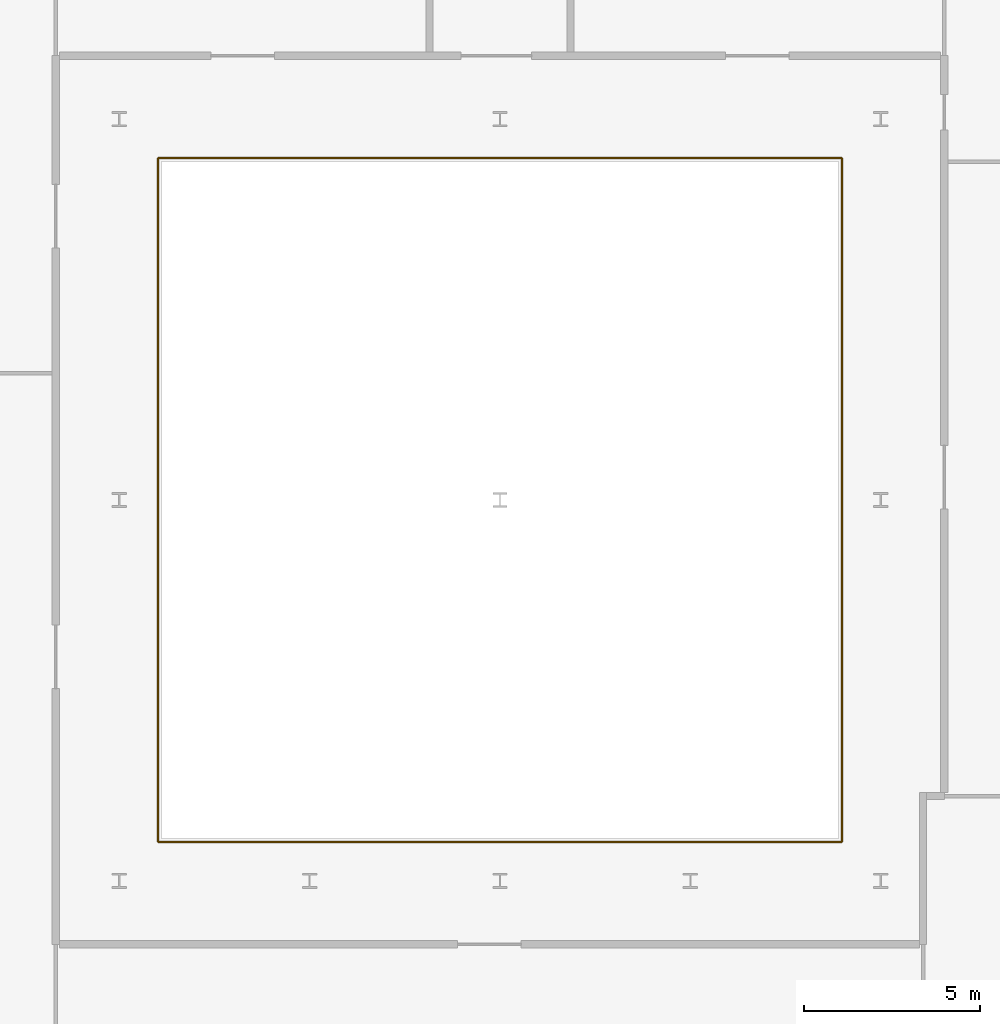
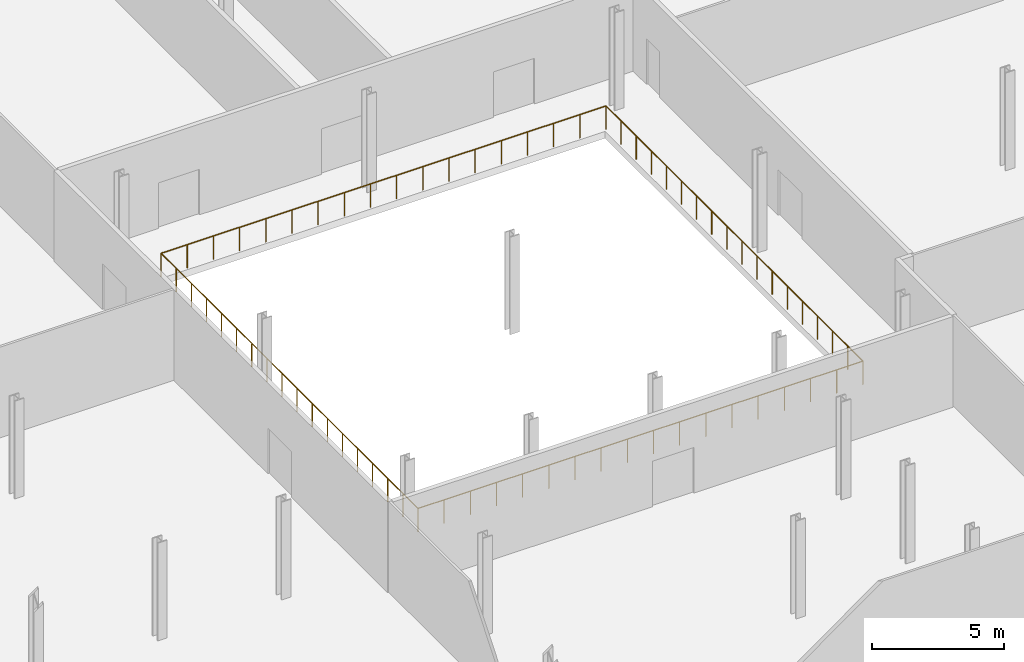
# One storey, part 43 of 47: 1 railing.
"""IFC4 building model written with IfcOpenShell, lengths in metres."""

from ifc_helpers import new_model, si_unit, direction, frame, origin, origin_2d, place, context, subcontext, project, spatial, circle, extrude, material, type_object, element, save


model = new_model("IFC4")

# Units and contexts
model_context = context("Model", 3, precision=1e-05, world=origin(), true_north=direction((0.0, 1.0)))
body_context = subcontext(model_context, "Body", "Model", "MODEL_VIEW")
ifc_project = project(units=[si_unit("LENGTHUNIT", "METRE"), si_unit("AREAUNIT", "SQUARE_METRE"), si_unit("VOLUMEUNIT", "CUBIC_METRE"), si_unit("PLANEANGLEUNIT", "RADIAN"), si_unit("MASSUNIT", "GRAM", prefix="KILO")], contexts=[model_context])

# Site, building, storey
site_placement = place(None, origin())
site = spatial("IfcSite", under=ifc_project, at=site_placement, CompositionType="ELEMENT")
building_placement = place(site_placement, origin())
building = spatial("IfcBuilding", under=site, at=building_placement, Name="Kheshtan School and Residences Tower", CompositionType="ELEMENT")
storey_placement = place(building_placement, frame((0.0, 0.0, 12.5)))
storey = spatial("IfcBuildingStorey", under=building, at=storey_placement, Name="L02", CompositionType="ELEMENT", Elevation=12.5)

# Railing
ifc_material = material(Name="Stainless steel balustrade", Category="steel")
railing_type = type_object("IfcRailingType", Name="Loggia guard 1100", PredefinedType="GUARDRAIL", material=ifc_material)
railing_placement = place(storey_placement, frame((89.699951171875, 46.699951171875, 0.0)))
element("IfcRailing", 1, at=railing_placement, inside=storey, type_object=railing_type, Name="Guard L02 A1", PredefinedType="GUARDRAIL", context=body_context, shape_type="SweptSolid", body=[
    extrude(circle(Radius=0.02392578125, at=origin_2d()), frame((0.0, 0.0, 1.076171875), z_axis=(-1.0, 0.0, 0.0), x_axis=(0.0, -1.0, 0.0)), (0.0, 0.0, 1.0), 19.39990234375),
    extrude(circle(Radius=0.02392578125, at=origin_2d()), frame((-19.39990234375, 0.0, 1.076171875), z_axis=(0.0, 1.0, 0.0), x_axis=(-1.0, 0.0, 0.0)), (0.0, 0.0, 1.0), 19.400146484375),
    extrude(circle(Radius=0.02392578125, at=origin_2d()), frame((-19.39990234375, 19.400146484375, 1.076171875), z_axis=(1.0, 0.0, 0.0), x_axis=(0.0, 1.0, 0.0)), (0.0, 0.0, 1.0), 19.39990234375),
    extrude(circle(Radius=0.02392578125, at=origin_2d()), frame((0.0, 19.400146484375, 1.076171875), z_axis=(0.0, -1.0, 0.0), x_axis=(1.0, 0.0, 0.0)), (0.0, 0.0, 1.0), 19.400146484375),
    extrude(circle(Radius=0.02099609375, at=origin_2d()), origin(), (0.0, 0.0, 1.0), 1.052001953125),
    extrude(circle(Radius=0.02099609375, at=origin_2d()), frame((-1.14111328125, 0.0, 0.0)), (0.0, 0.0, 1.0), 1.052001953125),
    extrude(circle(Radius=0.02099609375, at=origin_2d()), frame((-2.2822265625, 0.0, 0.0)), (0.0, 0.0, 1.0), 1.052001953125),
    extrude(circle(Radius=0.02099609375, at=origin_2d()), frame((-3.423583984375, 0.0, 0.0)), (0.0, 0.0, 1.0), 1.052001953125),
    extrude(circle(Radius=0.02099609375, at=origin_2d()), frame((-4.564697265625, 0.0, 0.0)), (0.0, 0.0, 1.0), 1.052001953125),
    extrude(circle(Radius=0.02099609375, at=origin_2d()), frame((-5.705810546875, 0.0, 0.0)), (0.0, 0.0, 1.0), 1.052001953125),
    extrude(circle(Radius=0.02099609375, at=origin_2d()), frame((-6.846923828125, 0.0, 0.0)), (0.0, 0.0, 1.0), 1.052001953125),
    extrude(circle(Radius=0.02099609375, at=origin_2d()), frame((-7.98828125, 0.0, 0.0)), (0.0, 0.0, 1.0), 1.052001953125),
    extrude(circle(Radius=0.02099609375, at=origin_2d()), frame((-9.12939453125, 0.0, 0.0)), (0.0, 0.0, 1.0), 1.052001953125),
    extrude(circle(Radius=0.02099609375, at=origin_2d()), frame((-10.2705078125, 0.0, 0.0)), (0.0, 0.0, 1.0), 1.052001953125),
    extrude(circle(Radius=0.02099609375, at=origin_2d()), frame((-11.41162109375, 0.0, 0.0)), (0.0, 0.0, 1.0), 1.052001953125),
    extrude(circle(Radius=0.02099609375, at=origin_2d()), frame((-12.552978515625, 0.0, 0.0)), (0.0, 0.0, 1.0), 1.052001953125),
    extrude(circle(Radius=0.02099609375, at=origin_2d()), frame((-13.694091796875, 0.0, 0.0)), (0.0, 0.0, 1.0), 1.052001953125),
    extrude(circle(Radius=0.02099609375, at=origin_2d()), frame((-14.835205078125, 0.0, 0.0)), (0.0, 0.0, 1.0), 1.052001953125),
    extrude(circle(Radius=0.02099609375, at=origin_2d()), frame((-15.976318359375, 0.0, 0.0)), (0.0, 0.0, 1.0), 1.052001953125),
    extrude(circle(Radius=0.02099609375, at=origin_2d()), frame((-17.11767578125, 0.0, 0.0)), (0.0, 0.0, 1.0), 1.052001953125),
    extrude(circle(Radius=0.02099609375, at=origin_2d()), frame((-18.2587890625, 0.0, 0.0)), (0.0, 0.0, 1.0), 1.052001953125),
    extrude(circle(Radius=0.02099609375, at=origin_2d()), frame((-19.39990234375, 0.0, 0.0)), (0.0, 0.0, 1.0), 1.052001953125),
    extrude(circle(Radius=0.02099609375, at=origin_2d()), frame((-19.39990234375, 1.14111328125, 0.0)), (0.0, 0.0, 1.0), 1.052001953125),
    extrude(circle(Radius=0.02099609375, at=origin_2d()), frame((-19.39990234375, 2.282470703125, 0.0)), (0.0, 0.0, 1.0), 1.052001953125),
    extrude(circle(Radius=0.02099609375, at=origin_2d()), frame((-19.39990234375, 3.423583984375, 0.0)), (0.0, 0.0, 1.0), 1.052001953125),
    extrude(circle(Radius=0.02099609375, at=origin_2d()), frame((-19.39990234375, 4.564697265625, 0.0)), (0.0, 0.0, 1.0), 1.052001953125),
    extrude(circle(Radius=0.02099609375, at=origin_2d()), frame((-19.39990234375, 5.705810546875, 0.0)), (0.0, 0.0, 1.0), 1.052001953125),
    extrude(circle(Radius=0.02099609375, at=origin_2d()), frame((-19.39990234375, 6.84716796875, 0.0)), (0.0, 0.0, 1.0), 1.052001953125),
    extrude(circle(Radius=0.02099609375, at=origin_2d()), frame((-19.39990234375, 7.98828125, 0.0)), (0.0, 0.0, 1.0), 1.052001953125),
    extrude(circle(Radius=0.02099609375, at=origin_2d()), frame((-19.39990234375, 9.12939453125, 0.0)), (0.0, 0.0, 1.0), 1.052001953125),
    extrude(circle(Radius=0.02099609375, at=origin_2d()), frame((-19.39990234375, 10.270751953125, 0.0)), (0.0, 0.0, 1.0), 1.052001953125),
    extrude(circle(Radius=0.02099609375, at=origin_2d()), frame((-19.39990234375, 11.411865234375, 0.0)), (0.0, 0.0, 1.0), 1.052001953125),
    extrude(circle(Radius=0.02099609375, at=origin_2d()), frame((-19.39990234375, 12.552978515625, 0.0)), (0.0, 0.0, 1.0), 1.052001953125),
    extrude(circle(Radius=0.02099609375, at=origin_2d()), frame((-19.39990234375, 13.6943359375, 0.0)), (0.0, 0.0, 1.0), 1.052001953125),
    extrude(circle(Radius=0.02099609375, at=origin_2d()), frame((-19.39990234375, 14.83544921875, 0.0)), (0.0, 0.0, 1.0), 1.052001953125),
    extrude(circle(Radius=0.02099609375, at=origin_2d()), frame((-19.39990234375, 15.9765625, 0.0)), (0.0, 0.0, 1.0), 1.052001953125),
    extrude(circle(Radius=0.02099609375, at=origin_2d()), frame((-19.39990234375, 17.11767578125, 0.0)), (0.0, 0.0, 1.0), 1.052001953125),
    extrude(circle(Radius=0.02099609375, at=origin_2d()), frame((-19.39990234375, 18.259033203125, 0.0)), (0.0, 0.0, 1.0), 1.052001953125),
    extrude(circle(Radius=0.02099609375, at=origin_2d()), frame((-19.39990234375, 19.400146484375, 0.0)), (0.0, 0.0, 1.0), 1.052001953125),
    extrude(circle(Radius=0.02099609375, at=origin_2d()), frame((-18.2587890625, 19.400146484375, 0.0)), (0.0, 0.0, 1.0), 1.052001953125),
    extrude(circle(Radius=0.02099609375, at=origin_2d()), frame((-17.11767578125, 19.400146484375, 0.0)), (0.0, 0.0, 1.0), 1.052001953125),
    extrude(circle(Radius=0.02099609375, at=origin_2d()), frame((-15.976318359375, 19.400146484375, 0.0)), (0.0, 0.0, 1.0), 1.052001953125),
    extrude(circle(Radius=0.02099609375, at=origin_2d()), frame((-14.835205078125, 19.400146484375, 0.0)), (0.0, 0.0, 1.0), 1.052001953125),
    extrude(circle(Radius=0.02099609375, at=origin_2d()), frame((-13.694091796875, 19.400146484375, 0.0)), (0.0, 0.0, 1.0), 1.052001953125),
    extrude(circle(Radius=0.02099609375, at=origin_2d()), frame((-12.552978515625, 19.400146484375, 0.0)), (0.0, 0.0, 1.0), 1.052001953125),
    extrude(circle(Radius=0.02099609375, at=origin_2d()), frame((-11.41162109375, 19.400146484375, 0.0)), (0.0, 0.0, 1.0), 1.052001953125),
    extrude(circle(Radius=0.02099609375, at=origin_2d()), frame((-10.2705078125, 19.400146484375, 0.0)), (0.0, 0.0, 1.0), 1.052001953125),
    extrude(circle(Radius=0.02099609375, at=origin_2d()), frame((-9.12939453125, 19.400146484375, 0.0)), (0.0, 0.0, 1.0), 1.052001953125),
    extrude(circle(Radius=0.02099609375, at=origin_2d()), frame((-7.98828125, 19.400146484375, 0.0)), (0.0, 0.0, 1.0), 1.052001953125),
    extrude(circle(Radius=0.02099609375, at=origin_2d()), frame((-6.846923828125, 19.400146484375, 0.0)), (0.0, 0.0, 1.0), 1.052001953125),
    extrude(circle(Radius=0.02099609375, at=origin_2d()), frame((-5.705810546875, 19.400146484375, 0.0)), (0.0, 0.0, 1.0), 1.052001953125),
    extrude(circle(Radius=0.02099609375, at=origin_2d()), frame((-4.564697265625, 19.400146484375, 0.0)), (0.0, 0.0, 1.0), 1.052001953125),
    extrude(circle(Radius=0.02099609375, at=origin_2d()), frame((-3.423583984375, 19.400146484375, 0.0)), (0.0, 0.0, 1.0), 1.052001953125),
    extrude(circle(Radius=0.02099609375, at=origin_2d()), frame((-2.2822265625, 19.400146484375, 0.0)), (0.0, 0.0, 1.0), 1.052001953125),
    extrude(circle(Radius=0.02099609375, at=origin_2d()), frame((-1.14111328125, 19.400146484375, 0.0)), (0.0, 0.0, 1.0), 1.052001953125),
    extrude(circle(Radius=0.02099609375, at=origin_2d()), frame((0.0, 19.400146484375, 0.0)), (0.0, 0.0, 1.0), 1.052001953125),
    extrude(circle(Radius=0.02099609375, at=origin_2d()), frame((0.0, 18.259033203125, 0.0)), (0.0, 0.0, 1.0), 1.052001953125),
    extrude(circle(Radius=0.02099609375, at=origin_2d()), frame((0.0, 17.11767578125, 0.0)), (0.0, 0.0, 1.0), 1.052001953125),
    extrude(circle(Radius=0.02099609375, at=origin_2d()), frame((0.0, 15.9765625, 0.0)), (0.0, 0.0, 1.0), 1.052001953125),
    extrude(circle(Radius=0.02099609375, at=origin_2d()), frame((0.0, 14.83544921875, 0.0)), (0.0, 0.0, 1.0), 1.052001953125),
    extrude(circle(Radius=0.02099609375, at=origin_2d()), frame((0.0, 13.6943359375, 0.0)), (0.0, 0.0, 1.0), 1.052001953125),
    extrude(circle(Radius=0.02099609375, at=origin_2d()), frame((0.0, 12.552978515625, 0.0)), (0.0, 0.0, 1.0), 1.052001953125),
    extrude(circle(Radius=0.02099609375, at=origin_2d()), frame((0.0, 11.411865234375, 0.0)), (0.0, 0.0, 1.0), 1.052001953125),
    extrude(circle(Radius=0.02099609375, at=origin_2d()), frame((0.0, 10.270751953125, 0.0)), (0.0, 0.0, 1.0), 1.052001953125),
    extrude(circle(Radius=0.02099609375, at=origin_2d()), frame((0.0, 9.12939453125, 0.0)), (0.0, 0.0, 1.0), 1.052001953125),
    extrude(circle(Radius=0.02099609375, at=origin_2d()), frame((0.0, 7.98828125, 0.0)), (0.0, 0.0, 1.0), 1.052001953125),
    extrude(circle(Radius=0.02099609375, at=origin_2d()), frame((0.0, 6.84716796875, 0.0)), (0.0, 0.0, 1.0), 1.052001953125),
    extrude(circle(Radius=0.02099609375, at=origin_2d()), frame((0.0, 5.705810546875, 0.0)), (0.0, 0.0, 1.0), 1.052001953125),
    extrude(circle(Radius=0.02099609375, at=origin_2d()), frame((0.0, 4.564697265625, 0.0)), (0.0, 0.0, 1.0), 1.052001953125),
    extrude(circle(Radius=0.02099609375, at=origin_2d()), frame((0.0, 3.423583984375, 0.0)), (0.0, 0.0, 1.0), 1.052001953125),
    extrude(circle(Radius=0.02099609375, at=origin_2d()), frame((0.0, 2.282470703125, 0.0)), (0.0, 0.0, 1.0), 1.052001953125),
    extrude(circle(Radius=0.02099609375, at=origin_2d()), frame((0.0, 1.14111328125, 0.0)), (0.0, 0.0, 1.0), 1.052001953125),
])

save(model, "model.ifc")
